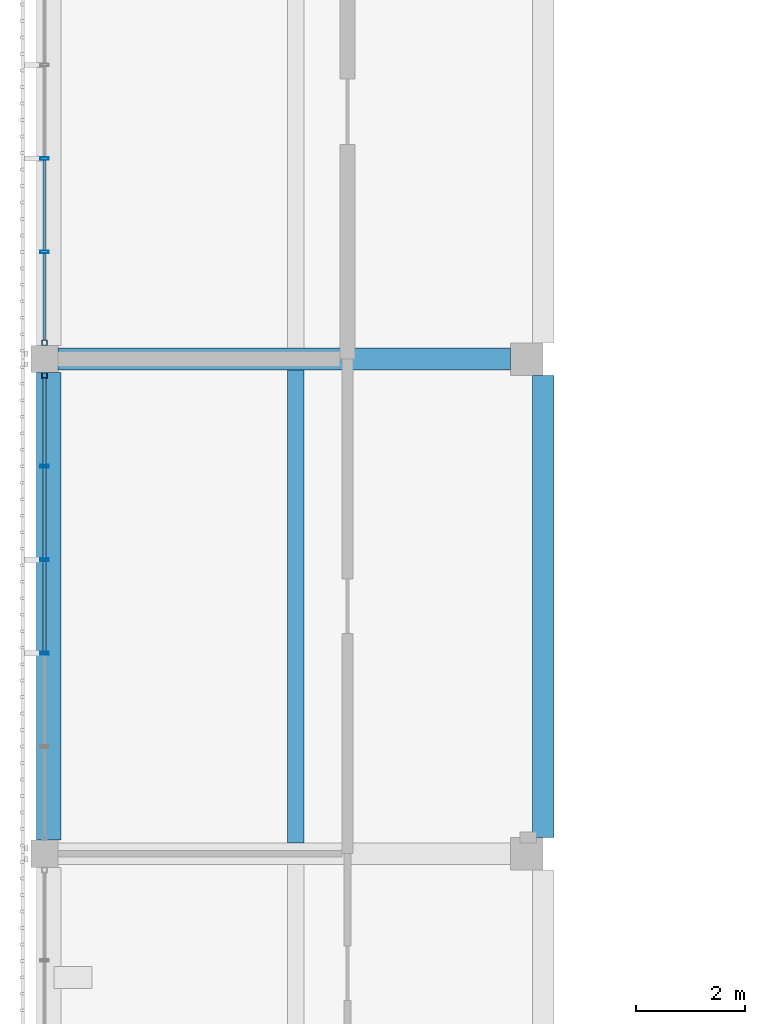
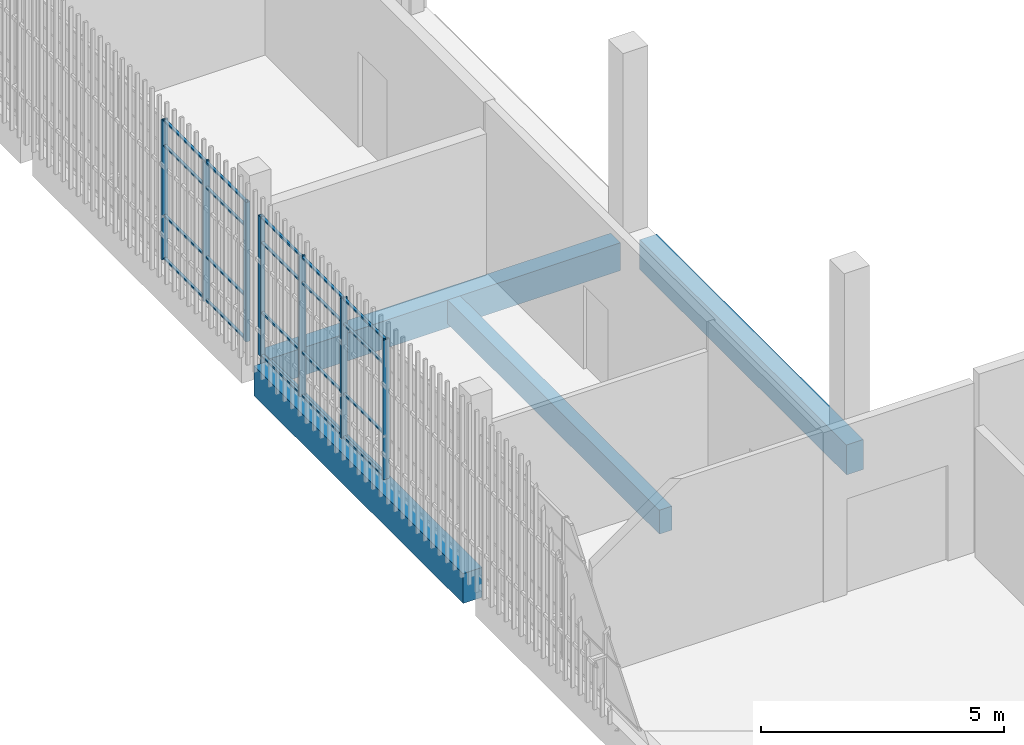
# One storey, part 18 of 124: 27 members, 4 beams, 2 elements without a shape of their own.
"""IFC4 building model written with IfcOpenShell, lengths in metres."""

from ifc_helpers import new_model, si_unit, direction, frame, origin, origin_2d, place, context, subcontext, project, spatial, rectangle, hollow_rectangle, extrude, material, layer, layer_set, material_profile, profile_set, type_object, element, aggregate, save


model = new_model("IFC4")

# Units and contexts
model_context = context("Model", 3, precision=1e-05, world=origin(), true_north=direction((0.0, 1.0)))
body_context = subcontext(model_context, "Body", "Model", "MODEL_VIEW")
ifc_project = project(units=[si_unit("LENGTHUNIT", "METRE"), si_unit("AREAUNIT", "SQUARE_METRE"), si_unit("VOLUMEUNIT", "CUBIC_METRE"), si_unit("PLANEANGLEUNIT", "RADIAN"), si_unit("MASSUNIT", "GRAM", prefix="KILO")], contexts=[model_context])

# Site, building, storey
site_placement = place(None, origin())
site = spatial("IfcSite", under=ifc_project, at=site_placement, CompositionType="ELEMENT")
building_placement = place(site_placement, origin())
building = spatial("IfcBuilding", under=site, at=building_placement, Name="Shirokan Park Arena", CompositionType="ELEMENT")
storey_placement = place(building_placement, frame((0.0, 0.0, 20.02001953125)))
storey = spatial("IfcBuildingStorey", under=building, at=storey_placement, Name="L04", CompositionType="ELEMENT", Elevation=20.02001953125)

# Curtain wall, member
ifc_material_1 = material(Name="Steel and glass curtain wall", Category="steel")
ifc_layer = layer(ifc_material_1, 0.14990234375)
ifc_layer_set = layer_set([ifc_layer], Name="Steel and glass curtain wall 150 mm")
curtain_wall_type = type_object("IfcCurtainWallType", Name="Curtain wall exposed bay 150", PredefinedType="NOTDEFINED", material=ifc_layer_set)
curtain_wall_1_placement = place(storey_placement, origin())
curtain_wall_1 = element("IfcCurtainWall", 1, at=curtain_wall_1_placement, inside=storey, type_object=curtain_wall_type, Name="Curtain wall west bay 6 L04", PredefinedType="NOTDEFINED")
ifc_material_2 = material(Name="Steel S355", Category="steel")
ifc_material_profile_1 = material_profile(ifc_material_2, hollow_rectangle(XDim=0.10009765625, YDim=0.10009765625, WallThickness=0.006103515625, at=origin_2d()), Name="RHS 100x100x6")
ifc_profile_set_1 = profile_set([ifc_material_profile_1], Name="Steel S355")
member_type_1 = type_object("IfcMemberType", Name="Mullion RHS 100x100x6", PredefinedType="MULLION", material=ifc_profile_set_1)
member_1_placement = place(storey_placement, frame((-0.074951171875, 54.89990234375, 0.0), z_axis=(0.0, 0.0, 1.0), x_axis=(1.0, 0.0, 0.0)))
member_1 = element("IfcMember", 2, at=member_1_placement, type_object=member_type_1, Name="CW1 mullion 6", PredefinedType="MULLION", context=body_context, shape_type="SweptSolid", body=[
    extrude(hollow_rectangle(XDim=0.10009765625, YDim=0.10009765625, WallThickness=0.006103515625, at=origin_2d()), origin(), (0.0, 0.0, 1.0), 3.5),
])

curtain_wall_2_placement = place(storey_placement, origin())
curtain_wall_2 = element("IfcCurtainWall", 3, at=curtain_wall_2_placement, inside=storey, type_object=curtain_wall_type, Name="Curtain wall west bay 7 L04", PredefinedType="NOTDEFINED")
member_2_placement = place(storey_placement, frame((-0.074951171875, 54.300048828125, 0.0), z_axis=(0.0, 0.0, 1.0), x_axis=(1.0, 0.0, 0.0)))
member_2 = element("IfcMember", 4, at=member_2_placement, type_object=member_type_1, Name="CW1 mullion 1", PredefinedType="MULLION", context=body_context, shape_type="SweptSolid", body=[
    extrude(hollow_rectangle(XDim=0.10009765625, YDim=0.10009765625, WallThickness=0.006103515625, at=origin_2d()), origin(), (0.0, 0.0, 1.0), 3.5),
])

# Member
ifc_material_profile_2 = material_profile(ifc_material_2, hollow_rectangle(XDim=0.14990234375, YDim=0.050048828125, WallThickness=0.006103515625, at=origin_2d()), Name="RHS 150x50x6")
ifc_profile_set_2 = profile_set([ifc_material_profile_2], Name="Steel S355")
member_type_2 = type_object("IfcMemberType", Name="Mullion RHS 150x50x6", PredefinedType="MULLION", material=ifc_profile_set_2)
member_3_placement = place(storey_placement, frame((-0.074951171875, 58.2900390625, 0.0), z_axis=(0.0, 0.0, 1.0), x_axis=(1.0, 0.0, 0.0)))
member_3 = element("IfcMember", 5, at=member_3_placement, type_object=member_type_2, Name="CW1 mullion 4", PredefinedType="MULLION", context=body_context, shape_type="SweptSolid", body=[
    extrude(hollow_rectangle(XDim=0.14990234375, YDim=0.050048828125, WallThickness=0.006103515625, at=origin_2d()), origin(), (0.0, 0.0, 1.0), 3.5),
])

member_4_placement = place(storey_placement, frame((-0.074951171875, 56.570068359375, 0.0), z_axis=(0.0, 0.0, 1.0), x_axis=(1.0, 0.0, 0.0)))
member_4 = element("IfcMember", 6, at=member_4_placement, type_object=member_type_2, Name="CW1 mullion 5", PredefinedType="MULLION", context=body_context, shape_type="SweptSolid", body=[
    extrude(hollow_rectangle(XDim=0.14990234375, YDim=0.050048828125, WallThickness=0.006103515625, at=origin_2d()), origin(), (0.0, 0.0, 1.0), 3.5),
])

member_5_placement = place(storey_placement, frame((-0.074951171875, 52.6298828125, 0.0), z_axis=(0.0, 0.0, 1.0), x_axis=(1.0, 0.0, 0.0)))
member_5 = element("IfcMember", 7, at=member_5_placement, type_object=member_type_2, Name="CW1 mullion 2", PredefinedType="MULLION", context=body_context, shape_type="SweptSolid", body=[
    extrude(hollow_rectangle(XDim=0.14990234375, YDim=0.050048828125, WallThickness=0.006103515625, at=origin_2d()), origin(), (0.0, 0.0, 1.0), 3.5),
])

member_6_placement = place(storey_placement, frame((-0.074951171875, 50.909912109375, 0.0), z_axis=(0.0, 0.0, 1.0), x_axis=(1.0, 0.0, 0.0)))
member_6 = element("IfcMember", 8, at=member_6_placement, type_object=member_type_2, Name="CW1 mullion 3", PredefinedType="MULLION", context=body_context, shape_type="SweptSolid", body=[
    extrude(hollow_rectangle(XDim=0.14990234375, YDim=0.050048828125, WallThickness=0.006103515625, at=origin_2d()), origin(), (0.0, 0.0, 1.0), 3.5),
])

member_7_placement = place(storey_placement, frame((-0.074951171875, 49.18994140625, 0.0), z_axis=(0.0, 0.0, 1.0), x_axis=(1.0, 0.0, 0.0)))
member_7 = element("IfcMember", 9, at=member_7_placement, type_object=member_type_2, Name="CW1 mullion 4", PredefinedType="MULLION", context=body_context, shape_type="SweptSolid", body=[
    extrude(hollow_rectangle(XDim=0.14990234375, YDim=0.050048828125, WallThickness=0.006103515625, at=origin_2d()), origin(), (0.0, 0.0, 1.0), 3.5),
])

# Beams
ifc_material_3 = material(Name="Concrete C35", Category="concrete")
ifc_material_profile_3 = material_profile(ifc_material_3, rectangle(XDim=0.39990234375, YDim=0.699951171875, at=origin_2d()), Name="400x700")
ifc_profile_set_3 = profile_set([ifc_material_profile_3], Name="Concrete C35")
beam_type_1 = type_object("IfcBeamType", Name="RC girder 400x700", PredefinedType="BEAM", material=ifc_profile_set_3)
beam_1_placement = place(storey_placement, frame((0.175048828125, 54.60009765625, -0.60009765625), z_axis=(1.0, 0.0, 0.0), x_axis=(0.0, 1.0, 0.0)))
element("IfcBeam", 10, at=beam_1_placement, inside=storey, type_object=beam_type_1, Name="Girder 1G-2G L04", PredefinedType="BEAM", context=body_context, shape_type="SweptSolid", body=[
    extrude(rectangle(XDim=0.39990234375, YDim=0.699951171875, at=origin_2d()), origin(), (0.0, 0.0, 1.0), 8.324951171875),
])
ifc_material_profile_4 = material_profile(ifc_material_3, rectangle(XDim=0.39990234375, YDim=0.75, at=origin_2d()), Name="400x750")
ifc_profile_set_4 = profile_set([ifc_material_profile_4], Name="Concrete C35")
beam_type_2 = type_object("IfcBeamType", Name="RC girder 400x750", PredefinedType="BEAM", material=ifc_profile_set_4)
beam_2_placement = place(storey_placement, frame((9.10009765625, 45.800048828125, -0.625), z_axis=(0.0, 1.0, 0.0), x_axis=(-1.0, 0.0, 0.0)))
element("IfcBeam", 11, at=beam_2_placement, inside=storey, type_object=beam_type_2, Name="Girder 2F-2G L04", PredefinedType="BEAM", context=body_context, shape_type="SweptSolid", body=[
    extrude(rectangle(XDim=0.39990234375, YDim=0.75, at=origin_2d()), origin(), (0.0, 0.0, 1.0), 8.499755859375),
])
ifc_material_profile_5 = material_profile(ifc_material_3, rectangle(XDim=0.449951171875, YDim=0.75, at=origin_2d()), Name="450x750")
ifc_profile_set_5 = profile_set([ifc_material_profile_5], Name="Concrete C35")
beam_type_3 = type_object("IfcBeamType", Name="RC girder 450x750", PredefinedType="BEAM", material=ifc_profile_set_5)
beam_3_placement = place(storey_placement, frame((0.0, 45.75, -0.625), z_axis=(0.0, 1.0, 0.0), x_axis=(-1.0, 0.0, 0.0)))
element("IfcBeam", 12, at=beam_3_placement, inside=storey, type_object=beam_type_3, Name="Girder 1F-1G L04", PredefinedType="BEAM", context=body_context, shape_type="SweptSolid", body=[
    extrude(rectangle(XDim=0.449951171875, YDim=0.75, at=origin_2d()), origin(), (0.0, 0.0, 1.0), 8.599853515625),
])
ifc_material_profile_6 = material_profile(ifc_material_3, rectangle(XDim=0.300048828125, YDim=0.60009765625, at=origin_2d()), Name="300x600")
ifc_profile_set_6 = profile_set([ifc_material_profile_6], Name="Concrete C35")
beam_type_4 = type_object("IfcBeamType", Name="RC joist 300x600", PredefinedType="JOIST", material=ifc_profile_set_6)
beam_4_placement = place(storey_placement, frame((4.550048828125, 45.699951171875, -0.550048828125), z_axis=(0.0, 1.0, 0.0), x_axis=(-1.0, 0.0, 0.0)))
element("IfcBeam", 13, at=beam_4_placement, inside=storey, type_object=beam_type_4, Name="Joist 1F L04", PredefinedType="JOIST", context=body_context, shape_type="SweptSolid", body=[
    extrude(rectangle(XDim=0.300048828125, YDim=0.60009765625, at=origin_2d()), origin(), (0.0, 0.0, 1.0), 8.699951171875),
])

# Member
ifc_material_profile_7 = material_profile(ifc_material_2, hollow_rectangle(XDim=0.06005859375, YDim=0.0400390625, WallThickness=0.00390625, at=origin_2d()), Name="RHS 60x40x4")
ifc_profile_set_7 = profile_set([ifc_material_profile_7], Name="Steel S355")
member_type_3 = type_object("IfcMemberType", Name="Transom RHS 60x40x4", PredefinedType="MULLION", material=ifc_profile_set_7)
member_8_placement = place(storey_placement, frame((-0.074951171875, 58.264892578125, 0.02001953125), z_axis=(0.0, -1.0, 0.0), x_axis=(1.0, 0.0, 0.0)))
member_8 = element("IfcMember", 14, at=member_8_placement, type_object=member_type_3, Name="CW1 transom 4.1", PredefinedType="MULLION", context=body_context, shape_type="SweptSolid", body=[
    extrude(hollow_rectangle(XDim=0.06005859375, YDim=0.0400390625, WallThickness=0.00390625, at=origin_2d()), origin(), (0.0, 0.0, 1.0), 1.669921875),
])

member_9_placement = place(storey_placement, frame((-0.074951171875, 58.264892578125, 1.10009765625), z_axis=(0.0, -1.0, 0.0), x_axis=(1.0, 0.0, 0.0)))
member_9 = element("IfcMember", 15, at=member_9_placement, type_object=member_type_3, Name="CW1 transom 4.2", PredefinedType="MULLION", context=body_context, shape_type="SweptSolid", body=[
    extrude(hollow_rectangle(XDim=0.06005859375, YDim=0.0400390625, WallThickness=0.00390625, at=origin_2d()), origin(), (0.0, 0.0, 1.0), 1.669921875),
])

member_10_placement = place(storey_placement, frame((-0.074951171875, 58.264892578125, 2.85009765625), z_axis=(0.0, -1.0, 0.0), x_axis=(1.0, 0.0, 0.0)))
member_10 = element("IfcMember", 16, at=member_10_placement, type_object=member_type_3, Name="CW1 transom 4.3", PredefinedType="MULLION", context=body_context, shape_type="SweptSolid", body=[
    extrude(hollow_rectangle(XDim=0.06005859375, YDim=0.0400390625, WallThickness=0.00390625, at=origin_2d()), origin(), (0.0, 0.0, 1.0), 1.669921875),
])

member_11_placement = place(storey_placement, frame((-0.074951171875, 58.264892578125, 3.47998046875), z_axis=(0.0, -1.0, 0.0), x_axis=(1.0, 0.0, 0.0)))
member_11 = element("IfcMember", 17, at=member_11_placement, type_object=member_type_3, Name="CW1 transom 4.4", PredefinedType="MULLION", context=body_context, shape_type="SweptSolid", body=[
    extrude(hollow_rectangle(XDim=0.06005859375, YDim=0.0400390625, WallThickness=0.00390625, at=origin_2d()), origin(), (0.0, 0.0, 1.0), 1.669921875),
])

member_12_placement = place(storey_placement, frame((-0.074951171875, 56.544921875, 0.02001953125), z_axis=(0.0, -1.0, 0.0), x_axis=(1.0, 0.0, 0.0)))
member_12 = element("IfcMember", 18, at=member_12_placement, type_object=member_type_3, Name="CW1 transom 5.1", PredefinedType="MULLION", context=body_context, shape_type="SweptSolid", body=[
    extrude(hollow_rectangle(XDim=0.06005859375, YDim=0.0400390625, WallThickness=0.00390625, at=origin_2d()), origin(), (0.0, 0.0, 1.0), 1.594970703125),
])

member_13_placement = place(storey_placement, frame((-0.074951171875, 56.544921875, 1.10009765625), z_axis=(0.0, -1.0, 0.0), x_axis=(1.0, 0.0, 0.0)))
member_13 = element("IfcMember", 19, at=member_13_placement, type_object=member_type_3, Name="CW1 transom 5.2", PredefinedType="MULLION", context=body_context, shape_type="SweptSolid", body=[
    extrude(hollow_rectangle(XDim=0.06005859375, YDim=0.0400390625, WallThickness=0.00390625, at=origin_2d()), origin(), (0.0, 0.0, 1.0), 1.594970703125),
])

member_14_placement = place(storey_placement, frame((-0.074951171875, 56.544921875, 2.85009765625), z_axis=(0.0, -1.0, 0.0), x_axis=(1.0, 0.0, 0.0)))
member_14 = element("IfcMember", 20, at=member_14_placement, type_object=member_type_3, Name="CW1 transom 5.3", PredefinedType="MULLION", context=body_context, shape_type="SweptSolid", body=[
    extrude(hollow_rectangle(XDim=0.06005859375, YDim=0.0400390625, WallThickness=0.00390625, at=origin_2d()), origin(), (0.0, 0.0, 1.0), 1.594970703125),
])

member_15_placement = place(storey_placement, frame((-0.074951171875, 56.544921875, 3.47998046875), z_axis=(0.0, -1.0, 0.0), x_axis=(1.0, 0.0, 0.0)))
member_15 = element("IfcMember", 21, at=member_15_placement, type_object=member_type_3, Name="CW1 transom 5.4", PredefinedType="MULLION", context=body_context, shape_type="SweptSolid", body=[
    extrude(hollow_rectangle(XDim=0.06005859375, YDim=0.0400390625, WallThickness=0.00390625, at=origin_2d()), origin(), (0.0, 0.0, 1.0), 1.594970703125),
])

aggregate(curtain_wall_1, [member_3, member_4, member_1, member_8, member_9, member_10, member_11, member_12, member_13, member_14, member_15])

member_16_placement = place(storey_placement, frame((-0.074951171875, 54.25, 0.02001953125), z_axis=(0.0, -1.0, 0.0), x_axis=(1.0, 0.0, 0.0)))
member_16 = element("IfcMember", 22, at=member_16_placement, type_object=member_type_3, Name="CW1 transom 1.1", PredefinedType="MULLION", context=body_context, shape_type="SweptSolid", body=[
    extrude(hollow_rectangle(XDim=0.06005859375, YDim=0.0400390625, WallThickness=0.00390625, at=origin_2d()), origin(), (0.0, 0.0, 1.0), 1.594970703125),
])

member_17_placement = place(storey_placement, frame((-0.074951171875, 54.25, 1.10009765625), z_axis=(0.0, -1.0, 0.0), x_axis=(1.0, 0.0, 0.0)))
member_17 = element("IfcMember", 23, at=member_17_placement, type_object=member_type_3, Name="CW1 transom 1.2", PredefinedType="MULLION", context=body_context, shape_type="SweptSolid", body=[
    extrude(hollow_rectangle(XDim=0.06005859375, YDim=0.0400390625, WallThickness=0.00390625, at=origin_2d()), origin(), (0.0, 0.0, 1.0), 1.594970703125),
])

member_18_placement = place(storey_placement, frame((-0.074951171875, 54.25, 2.85009765625), z_axis=(0.0, -1.0, 0.0), x_axis=(1.0, 0.0, 0.0)))
member_18 = element("IfcMember", 24, at=member_18_placement, type_object=member_type_3, Name="CW1 transom 1.3", PredefinedType="MULLION", context=body_context, shape_type="SweptSolid", body=[
    extrude(hollow_rectangle(XDim=0.06005859375, YDim=0.0400390625, WallThickness=0.00390625, at=origin_2d()), origin(), (0.0, 0.0, 1.0), 1.594970703125),
])

member_19_placement = place(storey_placement, frame((-0.074951171875, 54.25, 3.47998046875), z_axis=(0.0, -1.0, 0.0), x_axis=(1.0, 0.0, 0.0)))
member_19 = element("IfcMember", 25, at=member_19_placement, type_object=member_type_3, Name="CW1 transom 1.4", PredefinedType="MULLION", context=body_context, shape_type="SweptSolid", body=[
    extrude(hollow_rectangle(XDim=0.06005859375, YDim=0.0400390625, WallThickness=0.00390625, at=origin_2d()), origin(), (0.0, 0.0, 1.0), 1.594970703125),
])

member_20_placement = place(storey_placement, frame((-0.074951171875, 52.60498046875, 0.02001953125), z_axis=(0.0, -1.0, 0.0), x_axis=(1.0, 0.0, 0.0)))
member_20 = element("IfcMember", 26, at=member_20_placement, type_object=member_type_3, Name="CW1 transom 2.1", PredefinedType="MULLION", context=body_context, shape_type="SweptSolid", body=[
    extrude(hollow_rectangle(XDim=0.06005859375, YDim=0.0400390625, WallThickness=0.00390625, at=origin_2d()), origin(), (0.0, 0.0, 1.0), 1.669921875),
])

member_21_placement = place(storey_placement, frame((-0.074951171875, 52.60498046875, 1.10009765625), z_axis=(0.0, -1.0, 0.0), x_axis=(1.0, 0.0, 0.0)))
member_21 = element("IfcMember", 27, at=member_21_placement, type_object=member_type_3, Name="CW1 transom 2.2", PredefinedType="MULLION", context=body_context, shape_type="SweptSolid", body=[
    extrude(hollow_rectangle(XDim=0.06005859375, YDim=0.0400390625, WallThickness=0.00390625, at=origin_2d()), origin(), (0.0, 0.0, 1.0), 1.669921875),
])

member_22_placement = place(storey_placement, frame((-0.074951171875, 52.60498046875, 2.85009765625), z_axis=(0.0, -1.0, 0.0), x_axis=(1.0, 0.0, 0.0)))
member_22 = element("IfcMember", 28, at=member_22_placement, type_object=member_type_3, Name="CW1 transom 2.3", PredefinedType="MULLION", context=body_context, shape_type="SweptSolid", body=[
    extrude(hollow_rectangle(XDim=0.06005859375, YDim=0.0400390625, WallThickness=0.00390625, at=origin_2d()), origin(), (0.0, 0.0, 1.0), 1.669921875),
])

member_23_placement = place(storey_placement, frame((-0.074951171875, 52.60498046875, 3.47998046875), z_axis=(0.0, -1.0, 0.0), x_axis=(1.0, 0.0, 0.0)))
member_23 = element("IfcMember", 29, at=member_23_placement, type_object=member_type_3, Name="CW1 transom 2.4", PredefinedType="MULLION", context=body_context, shape_type="SweptSolid", body=[
    extrude(hollow_rectangle(XDim=0.06005859375, YDim=0.0400390625, WallThickness=0.00390625, at=origin_2d()), origin(), (0.0, 0.0, 1.0), 1.669921875),
])

member_24_placement = place(storey_placement, frame((-0.074951171875, 50.885009765625, 0.02001953125), z_axis=(0.0, -1.0, 0.0), x_axis=(1.0, 0.0, 0.0)))
member_24 = element("IfcMember", 30, at=member_24_placement, type_object=member_type_3, Name="CW1 transom 3.1", PredefinedType="MULLION", context=body_context, shape_type="SweptSolid", body=[
    extrude(hollow_rectangle(XDim=0.06005859375, YDim=0.0400390625, WallThickness=0.00390625, at=origin_2d()), origin(), (0.0, 0.0, 1.0), 1.669921875),
])

member_25_placement = place(storey_placement, frame((-0.074951171875, 50.885009765625, 1.10009765625), z_axis=(0.0, -1.0, 0.0), x_axis=(1.0, 0.0, 0.0)))
member_25 = element("IfcMember", 31, at=member_25_placement, type_object=member_type_3, Name="CW1 transom 3.2", PredefinedType="MULLION", context=body_context, shape_type="SweptSolid", body=[
    extrude(hollow_rectangle(XDim=0.06005859375, YDim=0.0400390625, WallThickness=0.00390625, at=origin_2d()), origin(), (0.0, 0.0, 1.0), 1.669921875),
])

member_26_placement = place(storey_placement, frame((-0.074951171875, 50.885009765625, 2.85009765625), z_axis=(0.0, -1.0, 0.0), x_axis=(1.0, 0.0, 0.0)))
member_26 = element("IfcMember", 32, at=member_26_placement, type_object=member_type_3, Name="CW1 transom 3.3", PredefinedType="MULLION", context=body_context, shape_type="SweptSolid", body=[
    extrude(hollow_rectangle(XDim=0.06005859375, YDim=0.0400390625, WallThickness=0.00390625, at=origin_2d()), origin(), (0.0, 0.0, 1.0), 1.669921875),
])

member_27_placement = place(storey_placement, frame((-0.074951171875, 50.885009765625, 3.47998046875), z_axis=(0.0, -1.0, 0.0), x_axis=(1.0, 0.0, 0.0)))
member_27 = element("IfcMember", 33, at=member_27_placement, type_object=member_type_3, Name="CW1 transom 3.4", PredefinedType="MULLION", context=body_context, shape_type="SweptSolid", body=[
    extrude(hollow_rectangle(XDim=0.06005859375, YDim=0.0400390625, WallThickness=0.00390625, at=origin_2d()), origin(), (0.0, 0.0, 1.0), 1.669921875),
])

aggregate(curtain_wall_2, [member_2, member_5, member_6, member_7, member_16, member_17, member_18, member_19, member_20, member_21, member_22, member_23, member_24, member_25, member_26, member_27])

save(model, "model.ifc")
